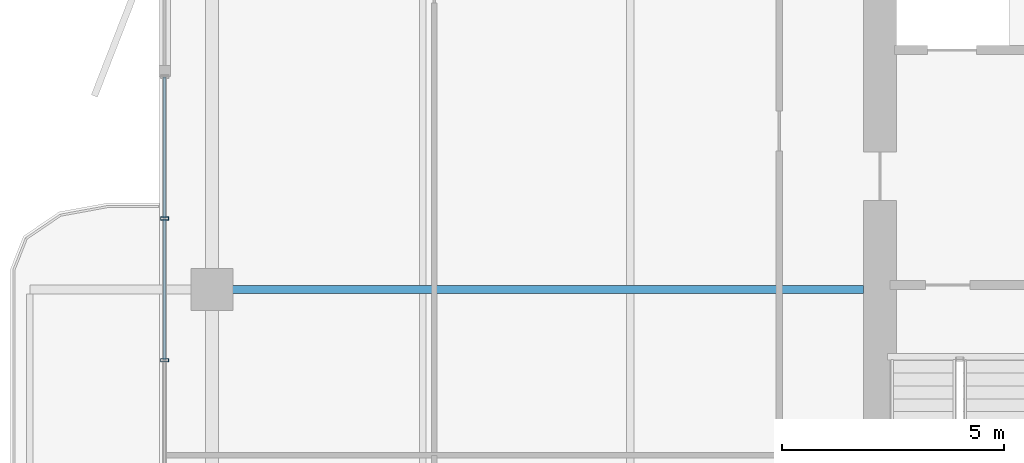
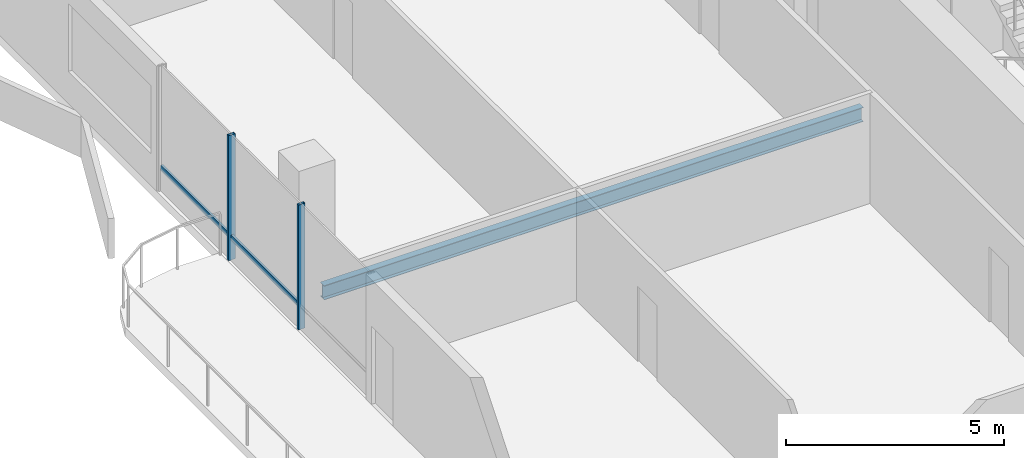
# One storey, part 6 of 25: 4 members, 1 beam, 1 element without a shape of its own.
"""IFC4 building model written with IfcOpenShell, lengths in metres."""

from ifc_helpers import new_model, si_unit, direction, frame, origin, origin_2d, place, context, subcontext, project, spatial, hollow_rectangle, i_section, extrude, material, layer, layer_set, material_profile, profile_set, type_object, element, aggregate, save


model = new_model("IFC4")

# Units and contexts
model_context = context("Model", 3, precision=1e-05, world=origin(), true_north=direction((0.0, 1.0)))
body_context = subcontext(model_context, "Body", "Model", "MODEL_VIEW")
ifc_project = project(units=[si_unit("LENGTHUNIT", "METRE"), si_unit("AREAUNIT", "SQUARE_METRE"), si_unit("VOLUMEUNIT", "CUBIC_METRE"), si_unit("PLANEANGLEUNIT", "RADIAN"), si_unit("MASSUNIT", "GRAM", prefix="KILO")], contexts=[model_context])

# Site, building, storey
site_placement = place(None, origin())
site = spatial("IfcSite", under=ifc_project, at=site_placement, CompositionType="ELEMENT")
building_placement = place(site_placement, origin())
building = spatial("IfcBuilding", under=site, at=building_placement, Name="Belovzor Exchange Tower", CompositionType="ELEMENT")
storey_placement = place(building_placement, frame((0.0, 0.0, 269.10009765625)))
storey = spatial("IfcBuildingStorey", under=building, at=storey_placement, Name="L67", CompositionType="ELEMENT", Elevation=269.10009765625)

# Curtain wall, members
ifc_material_1 = material(Name="Anodised Aluminium Framing", Category="aluminium")
ifc_layer = layer(ifc_material_1, 0.179931640625)
ifc_layer_set = layer_set([ifc_layer], Name="Anodised Aluminium Framing")
curtain_wall_type = type_object("IfcCurtainWallType", Name="Recessed Loggia Low-Iron Triple-Glazed Curtain Wall", PredefinedType="NOTDEFINED", material=ifc_layer_set)
curtain_wall_placement = place(storey_placement, origin())
curtain_wall = element("IfcCurtainWall", 1, at=curtain_wall_placement, inside=storey, type_object=curtain_wall_type, Name="CW3 Recessed Loggia Low-Iron Triple-Glazed Curtain Wall L67", PredefinedType="NOTDEFINED")
ifc_material_2 = material(Name="Steel S355", Category="steel")
ifc_material_profile_1 = material_profile(ifc_material_2, hollow_rectangle(XDim=0.074951171875, YDim=0.179931640625, WallThickness=0.0048828125, at=origin_2d()))
ifc_profile_set_1 = profile_set([ifc_material_profile_1], Name="Steel S355")
member_type_1 = type_object("IfcMemberType", Name="Thermally Broken Curtain Wall Mullion 180x75", PredefinedType="MULLION", material=ifc_profile_set_1)
member_1_placement = place(storey_placement, frame((4.030029296875, 27.199951171875, 0.0), z_axis=(0.0, 0.0, 1.0), x_axis=(0.0, 1.0, 0.0)))
member_1 = element("IfcMember", 2, at=member_1_placement, type_object=member_type_1, Name="CW-M180 Curtain Wall Mullion 2", PredefinedType="MULLION", context=body_context, shape_type="SweptSolid", body=[
    extrude(hollow_rectangle(XDim=0.074951171875, YDim=0.179931640625, WallThickness=0.0048828125, at=origin_2d()), origin(), (0.0, 0.0, 1.0), 3.5),
])
member_2_placement = place(storey_placement, frame((4.030029296875, 30.39990234375, 0.0), z_axis=(0.0, 0.0, 1.0), x_axis=(0.0, 1.0, 0.0)))
member_2 = element("IfcMember", 3, at=member_2_placement, type_object=member_type_1, Name="CW-M180 Curtain Wall Mullion 3", PredefinedType="MULLION", context=body_context, shape_type="SweptSolid", body=[
    extrude(hollow_rectangle(XDim=0.074951171875, YDim=0.179931640625, WallThickness=0.0048828125, at=origin_2d()), origin(), (0.0, 0.0, 1.0), 3.5),
])
ifc_material_3 = material(Name="Steel S355", Category="steel")
ifc_material_profile_2 = material_profile(ifc_material_3, hollow_rectangle(XDim=0.06005859375, YDim=0.14990234375, WallThickness=0.00390625, at=origin_2d()))
ifc_profile_set_2 = profile_set([ifc_material_profile_2], Name="Steel S355")
member_type_2 = type_object("IfcMemberType", Name="Thermally Broken Curtain Wall Transom 150x60", PredefinedType="USERDEFINED", material=ifc_profile_set_2)
member_3_placement = place(storey_placement, frame((4.030029296875, 27.2080078125, 0.6298828125), z_axis=(0.0, 1.0, 0.0), x_axis=(-1.0, 0.0, 0.0)))
member_3 = element("IfcMember", 4, at=member_3_placement, type_object=member_type_2, Name="CW-T150 Curtain Wall Transom 2", ObjectType="TRANSOM", PredefinedType="USERDEFINED", context=body_context, shape_type="SweptSolid", body=[
    extrude(hollow_rectangle(XDim=0.06005859375, YDim=0.14990234375, WallThickness=0.00390625, at=origin_2d()), origin(), (0.0, 0.0, 1.0), 3.18408203125),
])
member_4_placement = place(storey_placement, frame((4.030029296875, 30.407958984375, 0.6298828125), z_axis=(0.0, 1.0, 0.0), x_axis=(-1.0, 0.0, 0.0)))
member_4 = element("IfcMember", 5, at=member_4_placement, type_object=member_type_2, Name="CW-T150 Curtain Wall Transom 3", ObjectType="TRANSOM", PredefinedType="USERDEFINED", context=body_context, shape_type="SweptSolid", body=[
    extrude(hollow_rectangle(XDim=0.06005859375, YDim=0.14990234375, WallThickness=0.00390625, at=origin_2d()), origin(), (0.0, 0.0, 1.0), 3.18408203125),
])
aggregate(curtain_wall, [member_1, member_2, member_3, member_4])

# Beam
ifc_material_4 = material(Name="Steel S355", Category="steel")
ifc_material_profile_3 = material_profile(ifc_material_4, i_section(OverallWidth=0.179931640625, OverallDepth=0.39990234375, WebThickness=0.008544921875, FlangeThickness=0.013427734375, at=origin_2d()))
ifc_profile_set_3 = profile_set([ifc_material_profile_3], Name="Steel S355")
beam_type = type_object("IfcBeamType", Name="Zone 5-6 Radial Composite Floor Beam IPE 400", PredefinedType="BEAM", material=ifc_profile_set_3)
beam_placement = place(storey_placement, frame((19.800048828125, 28.800048828125, -0.4501953125), z_axis=(-1.0, 0.0, 0.0), x_axis=(0.0, -1.0, 0.0)))
element("IfcBeam", 6, at=beam_placement, inside=storey, type_object=beam_type, Name="FB-400 Zone 5-6 Radial Composite Floor Beam IPE 400", PredefinedType="BEAM", context=body_context, shape_type="SweptSolid", body=[
    extrude(i_section(OverallWidth=0.179931640625, OverallDepth=0.39990234375, WebThickness=0.008544921875, FlangeThickness=0.013427734375, at=origin_2d()), origin(), (0.0, 0.0, 1.0), 14.281982421875),
])

save(model, "model.ifc")
